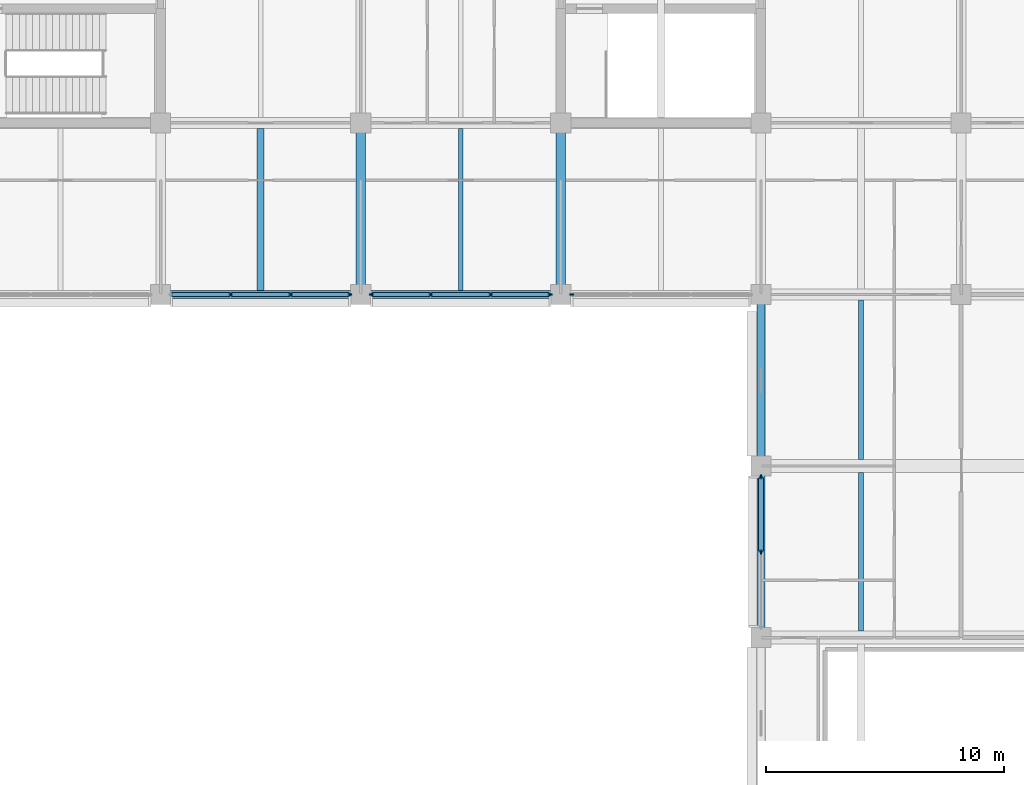
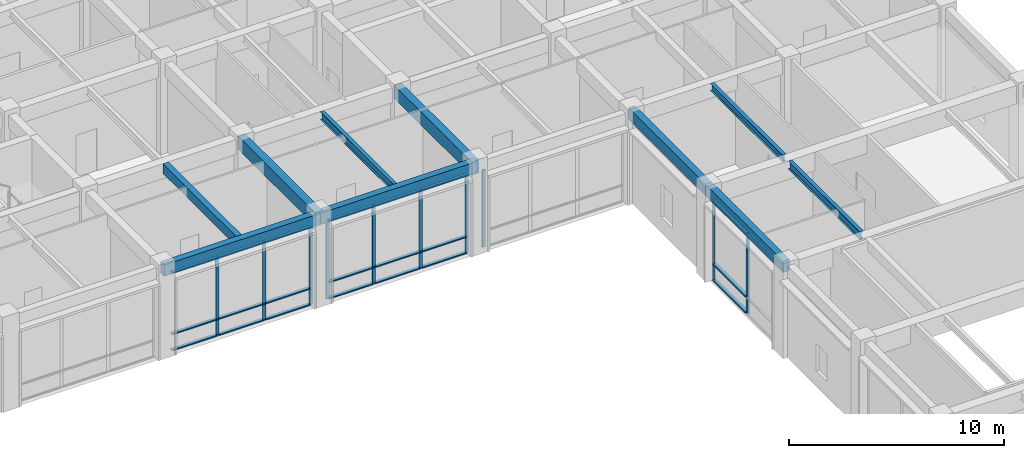
# One storey, part 20 of 58: 31 members, 10 beams, 4 elements without a shape of their own.
"""IFC4 building model written with IfcOpenShell, lengths in metres."""

import ifcopenshell
import ifcopenshell.guid

model = None  # the IFC model being written
_history = None  # IfcOwnerHistory: only IFC2X3 demands one
_inside = {}  # id of a spatial element -> (the spatial element, [elements in it])
_under = {}  # id of a project, library or spatial element -> (it, [spatial elements below it])
_declared = {}  # id of a project -> (the project, [libraries it declares])
_typed = {}  # id of a type object -> (the type object, [elements of that type])
_made_of = {}  # id of a material, layer set ... -> (it, [elements and type objects made of it])


def new_model(schema):
    """Start an empty IFC model of exactly this schema.

    Asked for "IFC4X3", IfcOpenShell would pick the latest addendum, in which some entities
    have other attributes; the version numbers below select the first issue.
    IFC2X3 requires an IfcOwnerHistory on every rooted entity: one is made here for all.
    """
    global model, _history
    if schema == "IFC4X3":
        model = ifcopenshell.file(schema_version=(4, 3, 0, 0))
    else:
        model = ifcopenshell.file(schema=schema)
    _inside.clear()
    _under.clear()
    _declared.clear()
    _typed.clear()
    _made_of.clear()
    _history = None
    if model.schema == "IFC2X3":
        org = make("IfcOrganization", Name="unknown")
        user = make(
            "IfcPersonAndOrganization",
            ThePerson=make("IfcPerson", FamilyName="unknown"),
            TheOrganization=org,
        )
        app = make(
            "IfcApplication",
            ApplicationDeveloper=org,
            Version="unknown",
            ApplicationFullName="unknown",
            ApplicationIdentifier="unknown",
        )
        _history = make(
            "IfcOwnerHistory",
            OwningUser=user,
            OwningApplication=app,
            ChangeAction="ADDED",
            CreationDate=0,
        )
    return model


def make(cls, **values):
    """One entity of the class cls with the attributes given. An attribute that is None is left unset."""
    return model.create_entity(
        cls, **{name: value for name, value in values.items() if value is not None}
    )


def rooted(cls, **values):
    """An entity with a GlobalId (a new one), such as an element, a storey or a relation."""
    return make(cls, GlobalId=ifcopenshell.guid.new(), OwnerHistory=_history, **values)


def si_unit(unit_type, name, prefix=None):
    """IfcSIUnit, for example si_unit("LENGTHUNIT", "METRE", prefix="MILLI")."""
    return make("IfcSIUnit", UnitType=unit_type, Prefix=prefix, Name=name)


def assignment(units):
    """IfcUnitAssignment: the units of a project."""
    return None if units is None else make("IfcUnitAssignment", Units=units)


def point(xyz):
    """IfcCartesianPoint."""
    return None if xyz is None else make("IfcCartesianPoint", Coordinates=xyz)


def direction(xyz):
    """IfcDirection."""
    return None if xyz is None else make("IfcDirection", DirectionRatios=xyz)


def frame(location, z_axis=None, x_axis=None):
    """IfcAxis2Placement3D, a coordinate frame: its origin and axes. An axis left out is left unset."""
    return make(
        "IfcAxis2Placement3D",
        Location=point(location),
        Axis=direction(z_axis),
        RefDirection=direction(x_axis),
    )


def frame_2d(location, x_axis=None):
    """IfcAxis2Placement2D, a coordinate frame in the plane: its origin and x axis."""
    return make(
        "IfcAxis2Placement2D", Location=point(location), RefDirection=direction(x_axis)
    )


def origin():
    """The frame at (0, 0, 0) with its axes left unset."""
    return frame((0.0, 0.0, 0.0))


def origin_2d():
    """The frame at (0, 0) in the plane with its x axis left unset."""
    return frame_2d((0.0, 0.0))


def place(relative_to, where):
    """IfcLocalPlacement: puts the frame where relative to a parent placement (None: the world)."""
    return make(
        "IfcLocalPlacement", PlacementRelTo=relative_to, RelativePlacement=where
    )


def context(
    kind, dimensions, precision=None, world=None, true_north=None, identifier=None
):
    """IfcGeometricRepresentationContext, for example the 3D "Model" context."""
    return make(
        "IfcGeometricRepresentationContext",
        ContextIdentifier=identifier,
        ContextType=kind,
        CoordinateSpaceDimension=dimensions,
        Precision=precision,
        WorldCoordinateSystem=world,
        TrueNorth=true_north,
    )


def subcontext(parent, identifier, kind, view, scale=None):
    """IfcGeometricRepresentationSubContext, for example "Body" below "Model"."""
    return make(
        "IfcGeometricRepresentationSubContext",
        ContextIdentifier=identifier,
        ContextType=kind,
        ParentContext=parent,
        TargetScale=scale,
        TargetView=view,
    )


def project(units=None, contexts=None):
    """IfcProject with its units and contexts."""
    return rooted(
        "IfcProject",
        Name="project",
        RepresentationContexts=contexts,
        UnitsInContext=assignment(units),
    )


def spatial(cls, under=None, at=None, **own):
    """A site, building, storey or space (cls), placed at a placement, below another one or the project."""
    s = rooted(cls, ObjectPlacement=at, **own)
    if under is not None:
        _under.setdefault(under.id(), (under, []))[1].append(s)
    return s


def profile(cls, at=None, kind="AREA", **sizes):
    """A parametric profile (cls). Its sizes go by their IFC names, for example OverallWidth=200.0."""
    return make(cls, ProfileType=kind, Position=at, **sizes)


def rectangle(**sizes):
    """IfcRectangleProfileDef."""
    return profile("IfcRectangleProfileDef", **sizes)


def i_section(**sizes):
    """IfcIShapeProfileDef."""
    return profile("IfcIShapeProfileDef", **sizes)


def extrude(swept, where, along, depth):
    """IfcExtrudedAreaSolid: the profile swept, set in the frame where, extruded along a direction by depth."""
    return make(
        "IfcExtrudedAreaSolid",
        SweptArea=swept,
        Position=where,
        ExtrudedDirection=direction(along),
        Depth=depth,
    )


def shape(context_of_items, identifier, shape_type, items):
    """IfcShapeRepresentation: the items that make up one representation, for example the "Body"."""
    return make(
        "IfcShapeRepresentation",
        ContextOfItems=context_of_items,
        RepresentationIdentifier=identifier,
        RepresentationType=shape_type,
        Items=items,
    )


def material(Name=None, Category=None):
    """IfcMaterial."""
    return make("IfcMaterial", Name=Name, Category=Category)


def layer(
    of_material, thickness, ventilated=None, Name=None, Category=None, Priority=None
):
    """IfcMaterialLayer: one layer of a wall or slab, of a material (None: an air gap)."""
    return make(
        "IfcMaterialLayer",
        Material=of_material,
        LayerThickness=thickness,
        IsVentilated=ventilated,
        Name=Name,
        Category=Category,
        Priority=Priority,
    )


def layer_set(layers, Name=None):
    """IfcMaterialLayerSet."""
    return make("IfcMaterialLayerSet", MaterialLayers=layers, LayerSetName=Name)


def material_profile(
    of_material, cross_section, Name=None, Category=None, Priority=None
):
    """IfcMaterialProfile: a cross section and its material."""
    return make(
        "IfcMaterialProfile",
        Name=Name,
        Material=of_material,
        Profile=cross_section,
        Priority=Priority,
        Category=Category,
    )


def profile_set(profiles, Name=None, composite=None):
    """IfcMaterialProfileSet."""
    return make(
        "IfcMaterialProfileSet",
        Name=Name,
        MaterialProfiles=profiles,
        CompositeProfile=composite,
    )


def made_of(thing, what):
    """Note that an element or type object is made of a material, layer set ...; save() writes the relation."""
    if what is not None:
        _made_of.setdefault(what.id(), (what, []))[1].append(thing)
    return thing


def type_object(cls, material=None, **own):
    """A type object (cls), such as IfcWallType, which elements share."""
    return made_of(rooted(cls, **own), material)


def element(
    cls,
    number,
    at=None,
    inside=None,
    cuts=None,
    type_object=None,
    material=None,
    context=None,
    identifier="Body",
    shape_type=None,
    held_by="IfcProductDefinitionShape",
    body=None,
    shapes=None,
    **own,
):
    """One element of the class cls, such as IfcWall. Its Tag is "e" and its number.

    at: its placement. inside: the storey or other place that contains it. cuts: it is an
    opening in that element (IfcRelVoidsElement). A single representation is given by context,
    identifier, shape_type and body (its items); several are given by shapes. held_by: the class
    of the entity that holds the representations. save() writes the other relations.
    """
    e = rooted(cls, Tag="e%d" % number, ObjectPlacement=at, **own)
    if body is not None:
        shapes = [shape(context, identifier, shape_type, body)]
    if shapes is not None:
        e.Representation = make(held_by, Representations=shapes)
    if inside is not None:
        _inside.setdefault(inside.id(), (inside, []))[1].append(e)
    if cuts is not None:
        rooted(
            "IfcRelVoidsElement", RelatingBuildingElement=cuts, RelatedOpeningElement=e
        )
    if type_object is not None:
        _typed.setdefault(type_object.id(), (type_object, []))[1].append(e)
    return made_of(e, material)


def aggregate(whole, parts):
    """IfcRelAggregates: a whole, such as a stair, and the parts it consists of."""
    return rooted("IfcRelAggregates", RelatingObject=whole, RelatedObjects=parts)


def save(model, path):
    """Write the relations noted so far, then the file.

    IfcRelAggregates (storeys below a building ...), IfcRelContainedInSpatialStructure (elements
    in a storey), IfcRelDefinesByType, IfcRelAssociatesMaterial and IfcRelDeclares: one each for
    every whole, place, type object, material and project.
    """
    for whole, parts in _under.values():
        aggregate(whole, parts)
    for where, things in _inside.values():
        rooted(
            "IfcRelContainedInSpatialStructure",
            RelatedElements=things,
            RelatingStructure=where,
        )
    for kind, things in _typed.values():
        rooted("IfcRelDefinesByType", RelatedObjects=things, RelatingType=kind)
    for what, things in _made_of.values():
        rooted("IfcRelAssociatesMaterial", RelatedObjects=things, RelatingMaterial=what)
    for by, libraries in _declared.values():
        rooted("IfcRelDeclares", RelatingContext=by, RelatedDefinitions=libraries)
    model.write(path)


model = new_model("IFC4")

# Units and contexts
model_context = context("Model", 3, precision=1e-05, world=origin(), true_north=direction((0.0, 1.0)))
body_context = subcontext(model_context, "Body", "Model", "MODEL_VIEW")
ifc_project = project(units=[si_unit("LENGTHUNIT", "METRE"), si_unit("AREAUNIT", "SQUARE_METRE"), si_unit("VOLUMEUNIT", "CUBIC_METRE"), si_unit("PLANEANGLEUNIT", "RADIAN"), si_unit("MASSUNIT", "GRAM", prefix="KILO")], contexts=[model_context])

# Site, building, storey
site_placement = place(None, origin())
site = spatial("IfcSite", under=ifc_project, at=site_placement, CompositionType="ELEMENT")
building_placement = place(site_placement, origin())
building = spatial("IfcBuilding", under=site, at=building_placement, Name="Chengyuan Square Courthouse", CompositionType="ELEMENT")
storey_placement = place(building_placement, frame((0.0, 0.0, 16.199951171875)))
storey = spatial("IfcBuildingStorey", under=building, at=storey_placement, Name="L04", CompositionType="ELEMENT", Elevation=16.199951171875)

# Beams
ifc_material_1 = material(Name="Concrete C40", Category="concrete")
ifc_material_profile_1 = material_profile(ifc_material_1, rectangle(XDim=0.39990234375, YDim=0.75, at=origin_2d()), Name="RC-BM-400x750")
ifc_profile_set_1 = profile_set([ifc_material_profile_1], Name="Concrete C40")
beam_type_1 = type_object("IfcBeamType", Name="BM-02", PredefinedType="USERDEFINED", material=ifc_profile_set_1)
for number, where, z_axis, x_axis, name in (
    (1, (134.39990234375, 79.199951171875, 4.7451171875), (0.0, 1.0, 0.0), (-1.0, 0.0, 0.0), "Girder BM-L04-3061"),
    (2, (142.800048828125, 79.199951171875, 4.675048828125), (0.0, 1.0, 0.0), (-1.0, 0.0, 0.0), "Girder BM-L04-3065"),
):
    element("IfcBeam", number, at=place(storey_placement, frame(where, z_axis=z_axis, x_axis=x_axis)), inside=storey, type_object=beam_type_1, Name=name, ObjectType="GIRDER", PredefinedType="USERDEFINED", context=body_context, shape_type="SweptSolid", body=[
        extrude(rectangle(XDim=0.39990234375, YDim=0.75, at=origin_2d()), origin(), (0.0, 0.0, 1.0), 7.199951171875),
    ])
ifc_material_profile_2 = material_profile(ifc_material_1, rectangle(XDim=0.35009765625, YDim=0.64990234375, at=origin_2d()), Name="RC-BM-350x650")
ifc_profile_set_2 = profile_set([ifc_material_profile_2], Name="Concrete C40")
beam_type_2 = type_object("IfcBeamType", Name="BM-03", PredefinedType="SPANDREL", material=ifc_profile_set_2)
beam_1_placement = place(storey_placement, frame((126.0, 79.199951171875, 4.795166015625), z_axis=(1.0, 0.0, 0.0), x_axis=(0.0, 1.0, 0.0)))
element("IfcBeam", 3, at=beam_1_placement, inside=storey, type_object=beam_type_2, Name="Girder BM-L04-2876", PredefinedType="SPANDREL", context=body_context, shape_type="SweptSolid", body=[
    extrude(rectangle(XDim=0.35009765625, YDim=0.64990234375, at=origin_2d()), origin(), (0.0, 0.0, 1.0), 8.39990234375),
])
beam_2_placement = place(storey_placement, frame((134.39990234375, 79.199951171875, 4.795166015625), z_axis=(1.0, 0.0, 0.0), x_axis=(0.0, 1.0, 0.0)))
element("IfcBeam", 4, at=beam_2_placement, inside=storey, type_object=beam_type_2, Name="Girder BM-L04-2877", PredefinedType="SPANDREL", context=body_context, shape_type="SweptSolid", body=[
    extrude(rectangle(XDim=0.35009765625, YDim=0.64990234375, at=origin_2d()), origin(), (0.0, 0.0, 1.0), 8.400146484375),
])
for number, where, z_axis, x_axis, name in (
    (5, (151.199951171875, 64.800048828125, 4.875), (0.0, 1.0, 0.0), (-1.0, 0.0, 0.0), "Girder BM-L04-3073"),
    (6, (151.199951171875, 72.0, 4.875), (0.0, 1.0, 0.0), (-1.0, 0.0, 0.0), "Girder BM-L04-3074"),
):
    element("IfcBeam", number, at=place(storey_placement, frame(where, z_axis=z_axis, x_axis=x_axis)), inside=storey, type_object=beam_type_2, Name=name, PredefinedType="SPANDREL", context=body_context, shape_type="SweptSolid", body=[
        extrude(rectangle(XDim=0.35009765625, YDim=0.64990234375, at=origin_2d()), origin(), (0.0, 0.0, 1.0), 7.199951171875),
    ])
ifc_material_profile_3 = material_profile(ifc_material_1, rectangle(XDim=0.300048828125, YDim=0.550048828125, at=origin_2d()), Name="RC-BM-300x550")
ifc_profile_set_3 = profile_set([ifc_material_profile_3], Name="Concrete C40")
beam_type_3 = type_object("IfcBeamType", Name="BM-04", PredefinedType="BEAM", material=ifc_profile_set_3)
beam_3_placement = place(storey_placement, frame((130.199951171875, 79.375, 4.844970703125), z_axis=(0.0, 1.0, 0.0), x_axis=(-1.0, 0.0, 0.0)))
element("IfcBeam", 7, at=beam_3_placement, inside=storey, type_object=beam_type_3, Name="Secondary Floor Beam SBM-L04-3163", PredefinedType="BEAM", context=body_context, shape_type="SweptSolid", body=[
    extrude(rectangle(XDim=0.300048828125, YDim=0.550048828125, at=origin_2d()), origin(), (0.0, 0.0, 1.0), 6.800048828125),
])
ifc_material_2 = material(Name="Steel Q355B", Category="steel")
ifc_material_profile_4 = material_profile(ifc_material_2, i_section(OverallWidth=0.199951171875, OverallDepth=0.449951171875, WebThickness=0.009033203125, FlangeThickness=0.013916015625, at=origin_2d()), Name="HN 450x200x9x14")
ifc_profile_set_4 = profile_set([ifc_material_profile_4], Name="Steel Q355B")
beam_type_4 = type_object("IfcBeamType", Name="BM-06", PredefinedType="BEAM", material=ifc_profile_set_4)
beam_4_placement = place(storey_placement, frame((138.60009765625, 79.375, 4.89501953125), z_axis=(0.0, 1.0, 0.0), x_axis=(-1.0, 0.0, 0.0)))
element("IfcBeam", 8, at=beam_4_placement, inside=storey, type_object=beam_type_4, Name="Secondary Floor Beam SBM-L04-3167", PredefinedType="BEAM", context=body_context, shape_type="SweptSolid", body=[
    extrude(i_section(OverallWidth=0.199951171875, OverallDepth=0.449951171875, WebThickness=0.009033203125, FlangeThickness=0.013916015625, at=origin_2d()), origin(), (0.0, 0.0, 1.0), 6.800048828125),
])
beam_5_placement = place(storey_placement, frame((155.39990234375, 65.074951171875, 4.97509765625), z_axis=(0.0, 1.0, 0.0), x_axis=(-1.0, 0.0, 0.0)))
element("IfcBeam", 9, at=beam_5_placement, inside=storey, type_object=beam_type_4, Name="Secondary Floor Beam SBM-L04-3179", PredefinedType="BEAM", context=body_context, shape_type="SweptSolid", body=[
    extrude(i_section(OverallWidth=0.199951171875, OverallDepth=0.449951171875, WebThickness=0.009033203125, FlangeThickness=0.013916015625, at=origin_2d()), origin(), (0.0, 0.0, 1.0), 6.650146484375),
])
ifc_material_profile_5 = material_profile(ifc_material_2, i_section(OverallWidth=0.199951171875, OverallDepth=0.39990234375, WebThickness=0.008056640625, FlangeThickness=0.012939453125, at=origin_2d()), Name="HN 400x200x8x13")
ifc_profile_set_5 = profile_set([ifc_material_profile_5], Name="Steel Q355B")
beam_type_5 = type_object("IfcBeamType", Name="BM-07", PredefinedType="BEAM", material=ifc_profile_set_5)
beam_6_placement = place(storey_placement, frame((155.39990234375, 72.27490234375, 5.0), z_axis=(0.0, 1.0, 0.0), x_axis=(-1.0, 0.0, 0.0)))
element("IfcBeam", 10, at=beam_6_placement, inside=storey, type_object=beam_type_5, Name="Secondary Floor Beam SBM-L04-3180", PredefinedType="BEAM", context=body_context, shape_type="SweptSolid", body=[
    extrude(i_section(OverallWidth=0.199951171875, OverallDepth=0.39990234375, WebThickness=0.008056640625, FlangeThickness=0.012939453125, at=origin_2d()), origin(), (0.0, 0.0, 1.0), 6.7001953125),
])

# Curtain wall, members
ifc_material_3 = material(Name="Unitised Aluminium and Triple Low-E Glass", Category="aluminium")
ifc_layer_1 = layer(ifc_material_3, 0.179931640625)
ifc_layer_set_1 = layer_set([ifc_layer_1], Name="Unitised Aluminium and Triple Low-E Glass")
curtain_wall_type_1 = type_object("IfcCurtainWallType", Name="CW-10", PredefinedType="USERDEFINED", material=ifc_layer_set_1)
curtain_wall_1_placement = place(storey_placement, origin())
curtain_wall_1 = element("IfcCurtainWall", 11, at=curtain_wall_1_placement, inside=storey, type_object=curtain_wall_type_1, Name="Unitised Curtain Wall CW-L04-151", ObjectType="UNITISED CURTAIN WALL", PredefinedType="USERDEFINED")
ifc_material_4 = material(Name="Aluminium 6063-T6 Frame", Category="aluminium")
ifc_material_profile_6 = material_profile(ifc_material_4, rectangle(XDim=0.06494140625, YDim=0.179931640625, at=origin_2d()), Name="CW-MUL-65x180")
ifc_profile_set_6 = profile_set([ifc_material_profile_6], Name="Aluminium 6063-T6 Frame")
member_type_1 = type_object("IfcMemberType", Name="CWM-02", PredefinedType="MULLION", material=ifc_profile_set_6)
member_1_placement = place(storey_placement, frame((128.941650390625, 79.199951171875, 0.0), z_axis=(0.0, 0.0, 1.0), x_axis=(0.0, 1.0, 0.0)))
member_1 = element("IfcMember", 12, at=member_1_placement, type_object=member_type_1, Name="CW-10 mullion 2", PredefinedType="MULLION", context=body_context, shape_type="SweptSolid", body=[
    extrude(rectangle(XDim=0.06494140625, YDim=0.179931640625, at=origin_2d()), origin(), (0.0, 0.0, 1.0), 4.469970703125),
])
member_2_placement = place(storey_placement, frame((131.458251953125, 79.199951171875, 0.0), z_axis=(0.0, 0.0, 1.0), x_axis=(0.0, 1.0, 0.0)))
member_2 = element("IfcMember", 13, at=member_2_placement, type_object=member_type_1, Name="CW-10 mullion 3", PredefinedType="MULLION", context=body_context, shape_type="SweptSolid", body=[
    extrude(rectangle(XDim=0.06494140625, YDim=0.179931640625, at=origin_2d()), origin(), (0.0, 0.0, 1.0), 4.469970703125),
])
member_3_placement = place(storey_placement, frame((133.9423828125, 79.199951171875, 0.0), z_axis=(0.0, 0.0, 1.0), x_axis=(0.0, 1.0, 0.0)))
member_3 = element("IfcMember", 14, at=member_3_placement, type_object=member_type_1, Name="CW-10 mullion 4", PredefinedType="MULLION", context=body_context, shape_type="SweptSolid", body=[
    extrude(rectangle(XDim=0.06494140625, YDim=0.179931640625, at=origin_2d()), origin(), (0.0, 0.0, 1.0), 4.469970703125),
])

curtain_wall_2_placement = place(storey_placement, origin())
curtain_wall_2 = element("IfcCurtainWall", 15, at=curtain_wall_2_placement, inside=storey, type_object=curtain_wall_type_1, Name="Unitised Curtain Wall CW-L04-153", ObjectType="UNITISED CURTAIN WALL", PredefinedType="USERDEFINED")
member_4_placement = place(storey_placement, frame((134.857421875, 79.199951171875, 0.0), z_axis=(0.0, 0.0, 1.0), x_axis=(0.0, 1.0, 0.0)))
member_4 = element("IfcMember", 16, at=member_4_placement, type_object=member_type_1, Name="CW-10 mullion 1", PredefinedType="MULLION", context=body_context, shape_type="SweptSolid", body=[
    extrude(rectangle(XDim=0.06494140625, YDim=0.179931640625, at=origin_2d()), origin(), (0.0, 0.0, 1.0), 4.469970703125),
])
member_5_placement = place(storey_placement, frame((137.341552734375, 79.199951171875, 0.0), z_axis=(0.0, 0.0, 1.0), x_axis=(0.0, 1.0, 0.0)))
member_5 = element("IfcMember", 17, at=member_5_placement, type_object=member_type_1, Name="CW-10 mullion 2", PredefinedType="MULLION", context=body_context, shape_type="SweptSolid", body=[
    extrude(rectangle(XDim=0.06494140625, YDim=0.179931640625, at=origin_2d()), origin(), (0.0, 0.0, 1.0), 4.469970703125),
])
member_6_placement = place(storey_placement, frame((139.8583984375, 79.199951171875, 0.0), z_axis=(0.0, 0.0, 1.0), x_axis=(0.0, 1.0, 0.0)))
member_6 = element("IfcMember", 18, at=member_6_placement, type_object=member_type_1, Name="CW-10 mullion 3", PredefinedType="MULLION", context=body_context, shape_type="SweptSolid", body=[
    extrude(rectangle(XDim=0.06494140625, YDim=0.179931640625, at=origin_2d()), origin(), (0.0, 0.0, 1.0), 4.469970703125),
])
member_7_placement = place(storey_placement, frame((142.342529296875, 79.199951171875, 0.0), z_axis=(0.0, 0.0, 1.0), x_axis=(0.0, 1.0, 0.0)))
member_7 = element("IfcMember", 19, at=member_7_placement, type_object=member_type_1, Name="CW-10 mullion 4", PredefinedType="MULLION", context=body_context, shape_type="SweptSolid", body=[
    extrude(rectangle(XDim=0.06494140625, YDim=0.179931640625, at=origin_2d()), origin(), (0.0, 0.0, 1.0), 4.469970703125),
])

# Curtain wall, member
curtain_wall_3_placement = place(storey_placement, origin())
curtain_wall_3 = element("IfcCurtainWall", 20, at=curtain_wall_3_placement, inside=storey, type_object=curtain_wall_type_1, Name="Unitised Curtain Wall CW-L04-154", ObjectType="UNITISED CURTAIN WALL", PredefinedType="USERDEFINED")
member_8_placement = place(storey_placement, frame((143.257568359375, 79.199951171875, 0.0), z_axis=(0.0, 0.0, 1.0), x_axis=(0.0, 1.0, 0.0)))
member_8 = element("IfcMember", 21, at=member_8_placement, type_object=member_type_1, Name="CW-10 mullion 1", PredefinedType="MULLION", context=body_context, shape_type="SweptSolid", body=[
    extrude(rectangle(XDim=0.06494140625, YDim=0.179931640625, at=origin_2d()), origin(), (0.0, 0.0, 1.0), 4.400146484375),
])
aggregate(curtain_wall_3, [member_8])

# Curtain wall, members
ifc_layer_2 = layer(ifc_material_3, 0.199951171875)
ifc_layer_set_2 = layer_set([ifc_layer_2], Name="Unitised Aluminium and Triple Low-E Glass")
curtain_wall_type_2 = type_object("IfcCurtainWallType", Name="CW-23", PredefinedType="USERDEFINED", material=ifc_layer_set_2)
curtain_wall_4_placement = place(storey_placement, origin())
curtain_wall_4 = element("IfcCurtainWall", 22, at=curtain_wall_4_placement, inside=storey, type_object=curtain_wall_type_2, Name="Unitised Curtain Wall CW-L04-157", ObjectType="UNITISED CURTAIN WALL", PredefinedType="USERDEFINED")
ifc_material_profile_7 = material_profile(ifc_material_4, rectangle(XDim=0.070068359375, YDim=0.199951171875, at=origin_2d()), Name="CW-MUL-70x200")
ifc_profile_set_7 = profile_set([ifc_material_profile_7], Name="Aluminium 6063-T6 Frame")
member_type_2 = type_object("IfcMemberType", Name="CWM-03", PredefinedType="MULLION", material=ifc_profile_set_7)
member_9_placement = place(storey_placement, frame((151.199951171875, 68.39990234375, 0.0), z_axis=(0.0, 0.0, 1.0), x_axis=(-1.0, 0.0, 0.0)))
member_9 = element("IfcMember", 23, at=member_9_placement, type_object=member_type_2, Name="CW-23 mullion 2", PredefinedType="MULLION", context=body_context, shape_type="SweptSolid", body=[
    extrude(rectangle(XDim=0.070068359375, YDim=0.199951171875, at=origin_2d()), origin(), (0.0, 0.0, 1.0), 4.550048828125),
])
member_10_placement = place(storey_placement, frame((151.199951171875, 71.5400390625, 0.0), z_axis=(0.0, 0.0, 1.0), x_axis=(-1.0, 0.0, 0.0)))
member_10 = element("IfcMember", 24, at=member_10_placement, type_object=member_type_2, Name="CW-23 mullion 3", PredefinedType="MULLION", context=body_context, shape_type="SweptSolid", body=[
    extrude(rectangle(XDim=0.070068359375, YDim=0.199951171875, at=origin_2d()), origin(), (0.0, 0.0, 1.0), 4.550048828125),
])

# Member
ifc_material_profile_8 = material_profile(ifc_material_4, rectangle(XDim=0.179931640625, YDim=0.06494140625, at=origin_2d()), Name="CW-TRN-65x140")
ifc_profile_set_8 = profile_set([ifc_material_profile_8], Name="Aluminium 6063-T6 Frame")
member_type_3 = type_object("IfcMemberType", Name="CWT-02", PredefinedType="USERDEFINED", material=ifc_profile_set_8)
member_11_placement = place(storey_placement, frame((126.489990234375, 79.199951171875, 0.032470703125), z_axis=(1.0, 0.0, 0.0), x_axis=(0.0, 1.0, 0.0)))
member_11 = element("IfcMember", 25, at=member_11_placement, type_object=member_type_3, Name="CW-10 transom 1.1", ObjectType="TRANSOM", PredefinedType="USERDEFINED", context=body_context, shape_type="SweptSolid", body=[
    extrude(rectangle(XDim=0.179931640625, YDim=0.06494140625, at=origin_2d()), origin(), (0.0, 0.0, 1.0), 2.419189453125),
])

member_12_placement = place(storey_placement, frame((126.489990234375, 79.199951171875, 0.949951171875), z_axis=(1.0, 0.0, 0.0), x_axis=(0.0, 1.0, 0.0)))
member_12 = element("IfcMember", 26, at=member_12_placement, type_object=member_type_3, Name="CW-10 transom 1.2", ObjectType="TRANSOM", PredefinedType="USERDEFINED", context=body_context, shape_type="SweptSolid", body=[
    extrude(rectangle(XDim=0.179931640625, YDim=0.06494140625, at=origin_2d()), origin(), (0.0, 0.0, 1.0), 2.419189453125),
])

member_13_placement = place(storey_placement, frame((126.489990234375, 79.199951171875, 4.4375), z_axis=(1.0, 0.0, 0.0), x_axis=(0.0, 1.0, 0.0)))
member_13 = element("IfcMember", 27, at=member_13_placement, type_object=member_type_3, Name="CW-10 transom 1.3", ObjectType="TRANSOM", PredefinedType="USERDEFINED", context=body_context, shape_type="SweptSolid", body=[
    extrude(rectangle(XDim=0.179931640625, YDim=0.06494140625, at=origin_2d()), origin(), (0.0, 0.0, 1.0), 2.419189453125),
])

member_14_placement = place(storey_placement, frame((128.97412109375, 79.199951171875, 0.032470703125), z_axis=(1.0, 0.0, 0.0), x_axis=(0.0, 1.0, 0.0)))
member_14 = element("IfcMember", 28, at=member_14_placement, type_object=member_type_3, Name="CW-10 transom 2.1", ObjectType="TRANSOM", PredefinedType="USERDEFINED", context=body_context, shape_type="SweptSolid", body=[
    extrude(rectangle(XDim=0.179931640625, YDim=0.06494140625, at=origin_2d()), origin(), (0.0, 0.0, 1.0), 2.45166015625),
])

member_15_placement = place(storey_placement, frame((128.97412109375, 79.199951171875, 0.949951171875), z_axis=(1.0, 0.0, 0.0), x_axis=(0.0, 1.0, 0.0)))
member_15 = element("IfcMember", 29, at=member_15_placement, type_object=member_type_3, Name="CW-10 transom 2.2", ObjectType="TRANSOM", PredefinedType="USERDEFINED", context=body_context, shape_type="SweptSolid", body=[
    extrude(rectangle(XDim=0.179931640625, YDim=0.06494140625, at=origin_2d()), origin(), (0.0, 0.0, 1.0), 2.45166015625),
])

member_16_placement = place(storey_placement, frame((128.97412109375, 79.199951171875, 4.4375), z_axis=(1.0, 0.0, 0.0), x_axis=(0.0, 1.0, 0.0)))
member_16 = element("IfcMember", 30, at=member_16_placement, type_object=member_type_3, Name="CW-10 transom 2.3", ObjectType="TRANSOM", PredefinedType="USERDEFINED", context=body_context, shape_type="SweptSolid", body=[
    extrude(rectangle(XDim=0.179931640625, YDim=0.06494140625, at=origin_2d()), origin(), (0.0, 0.0, 1.0), 2.45166015625),
])

member_17_placement = place(storey_placement, frame((131.49072265625, 79.199951171875, 0.032470703125), z_axis=(1.0, 0.0, 0.0), x_axis=(0.0, 1.0, 0.0)))
member_17 = element("IfcMember", 31, at=member_17_placement, type_object=member_type_3, Name="CW-10 transom 3.1", ObjectType="TRANSOM", PredefinedType="USERDEFINED", context=body_context, shape_type="SweptSolid", body=[
    extrude(rectangle(XDim=0.179931640625, YDim=0.06494140625, at=origin_2d()), origin(), (0.0, 0.0, 1.0), 2.419189453125),
])

member_18_placement = place(storey_placement, frame((131.49072265625, 79.199951171875, 0.949951171875), z_axis=(1.0, 0.0, 0.0), x_axis=(0.0, 1.0, 0.0)))
member_18 = element("IfcMember", 32, at=member_18_placement, type_object=member_type_3, Name="CW-10 transom 3.2", ObjectType="TRANSOM", PredefinedType="USERDEFINED", context=body_context, shape_type="SweptSolid", body=[
    extrude(rectangle(XDim=0.179931640625, YDim=0.06494140625, at=origin_2d()), origin(), (0.0, 0.0, 1.0), 2.419189453125),
])

member_19_placement = place(storey_placement, frame((131.49072265625, 79.199951171875, 4.4375), z_axis=(1.0, 0.0, 0.0), x_axis=(0.0, 1.0, 0.0)))
member_19 = element("IfcMember", 33, at=member_19_placement, type_object=member_type_3, Name="CW-10 transom 3.3", ObjectType="TRANSOM", PredefinedType="USERDEFINED", context=body_context, shape_type="SweptSolid", body=[
    extrude(rectangle(XDim=0.179931640625, YDim=0.06494140625, at=origin_2d()), origin(), (0.0, 0.0, 1.0), 2.419189453125),
])

aggregate(curtain_wall_1, [member_1, member_2, member_3, member_11, member_12, member_13, member_14, member_15, member_16, member_17, member_18, member_19])

member_20_placement = place(storey_placement, frame((134.889892578125, 79.199951171875, 0.032470703125), z_axis=(1.0, 0.0, 0.0), x_axis=(0.0, 1.0, 0.0)))
member_20 = element("IfcMember", 34, at=member_20_placement, type_object=member_type_3, Name="CW-10 transom 1.1", ObjectType="TRANSOM", PredefinedType="USERDEFINED", context=body_context, shape_type="SweptSolid", body=[
    extrude(rectangle(XDim=0.179931640625, YDim=0.06494140625, at=origin_2d()), origin(), (0.0, 0.0, 1.0), 2.419189453125),
])

member_21_placement = place(storey_placement, frame((134.889892578125, 79.199951171875, 0.949951171875), z_axis=(1.0, 0.0, 0.0), x_axis=(0.0, 1.0, 0.0)))
member_21 = element("IfcMember", 35, at=member_21_placement, type_object=member_type_3, Name="CW-10 transom 1.2", ObjectType="TRANSOM", PredefinedType="USERDEFINED", context=body_context, shape_type="SweptSolid", body=[
    extrude(rectangle(XDim=0.179931640625, YDim=0.06494140625, at=origin_2d()), origin(), (0.0, 0.0, 1.0), 2.419189453125),
])

member_22_placement = place(storey_placement, frame((134.889892578125, 79.199951171875, 4.4375), z_axis=(1.0, 0.0, 0.0), x_axis=(0.0, 1.0, 0.0)))
member_22 = element("IfcMember", 36, at=member_22_placement, type_object=member_type_3, Name="CW-10 transom 1.3", ObjectType="TRANSOM", PredefinedType="USERDEFINED", context=body_context, shape_type="SweptSolid", body=[
    extrude(rectangle(XDim=0.179931640625, YDim=0.06494140625, at=origin_2d()), origin(), (0.0, 0.0, 1.0), 2.419189453125),
])

member_23_placement = place(storey_placement, frame((137.374267578125, 79.199951171875, 0.032470703125), z_axis=(1.0, 0.0, 0.0), x_axis=(0.0, 1.0, 0.0)))
member_23 = element("IfcMember", 37, at=member_23_placement, type_object=member_type_3, Name="CW-10 transom 2.1", ObjectType="TRANSOM", PredefinedType="USERDEFINED", context=body_context, shape_type="SweptSolid", body=[
    extrude(rectangle(XDim=0.179931640625, YDim=0.06494140625, at=origin_2d()), origin(), (0.0, 0.0, 1.0), 2.45166015625),
])

member_24_placement = place(storey_placement, frame((137.374267578125, 79.199951171875, 0.949951171875), z_axis=(1.0, 0.0, 0.0), x_axis=(0.0, 1.0, 0.0)))
member_24 = element("IfcMember", 38, at=member_24_placement, type_object=member_type_3, Name="CW-10 transom 2.2", ObjectType="TRANSOM", PredefinedType="USERDEFINED", context=body_context, shape_type="SweptSolid", body=[
    extrude(rectangle(XDim=0.179931640625, YDim=0.06494140625, at=origin_2d()), origin(), (0.0, 0.0, 1.0), 2.45166015625),
])

member_25_placement = place(storey_placement, frame((137.374267578125, 79.199951171875, 4.4375), z_axis=(1.0, 0.0, 0.0), x_axis=(0.0, 1.0, 0.0)))
member_25 = element("IfcMember", 39, at=member_25_placement, type_object=member_type_3, Name="CW-10 transom 2.3", ObjectType="TRANSOM", PredefinedType="USERDEFINED", context=body_context, shape_type="SweptSolid", body=[
    extrude(rectangle(XDim=0.179931640625, YDim=0.06494140625, at=origin_2d()), origin(), (0.0, 0.0, 1.0), 2.45166015625),
])

member_26_placement = place(storey_placement, frame((139.890869140625, 79.199951171875, 0.032470703125), z_axis=(1.0, 0.0, 0.0), x_axis=(0.0, 1.0, 0.0)))
member_26 = element("IfcMember", 40, at=member_26_placement, type_object=member_type_3, Name="CW-10 transom 3.1", ObjectType="TRANSOM", PredefinedType="USERDEFINED", context=body_context, shape_type="SweptSolid", body=[
    extrude(rectangle(XDim=0.179931640625, YDim=0.06494140625, at=origin_2d()), origin(), (0.0, 0.0, 1.0), 2.419189453125),
])

member_27_placement = place(storey_placement, frame((139.890869140625, 79.199951171875, 0.949951171875), z_axis=(1.0, 0.0, 0.0), x_axis=(0.0, 1.0, 0.0)))
member_27 = element("IfcMember", 41, at=member_27_placement, type_object=member_type_3, Name="CW-10 transom 3.2", ObjectType="TRANSOM", PredefinedType="USERDEFINED", context=body_context, shape_type="SweptSolid", body=[
    extrude(rectangle(XDim=0.179931640625, YDim=0.06494140625, at=origin_2d()), origin(), (0.0, 0.0, 1.0), 2.419189453125),
])

member_28_placement = place(storey_placement, frame((139.890869140625, 79.199951171875, 4.4375), z_axis=(1.0, 0.0, 0.0), x_axis=(0.0, 1.0, 0.0)))
member_28 = element("IfcMember", 42, at=member_28_placement, type_object=member_type_3, Name="CW-10 transom 3.3", ObjectType="TRANSOM", PredefinedType="USERDEFINED", context=body_context, shape_type="SweptSolid", body=[
    extrude(rectangle(XDim=0.179931640625, YDim=0.06494140625, at=origin_2d()), origin(), (0.0, 0.0, 1.0), 2.419189453125),
])

aggregate(curtain_wall_2, [member_4, member_5, member_6, member_7, member_20, member_21, member_22, member_23, member_24, member_25, member_26, member_27, member_28])

ifc_material_profile_9 = material_profile(ifc_material_4, rectangle(XDim=0.199951171875, YDim=0.070068359375, at=origin_2d()), Name="CW-TRN-70x160")
ifc_profile_set_9 = profile_set([ifc_material_profile_9], Name="Aluminium 6063-T6 Frame")
member_type_4 = type_object("IfcMemberType", Name="CWT-03", PredefinedType="USERDEFINED", material=ifc_profile_set_9)
member_29_placement = place(storey_placement, frame((151.199951171875, 68.43505859375, 0.03515625), z_axis=(0.0, 1.0, 0.0), x_axis=(-1.0, 0.0, 0.0)))
member_29 = element("IfcMember", 43, at=member_29_placement, type_object=member_type_4, Name="CW-23 transom 2.1", ObjectType="TRANSOM", PredefinedType="USERDEFINED", context=body_context, shape_type="SweptSolid", body=[
    extrude(rectangle(XDim=0.199951171875, YDim=0.070068359375, at=origin_2d()), origin(), (0.0, 0.0, 1.0), 3.06982421875),
])

member_30_placement = place(storey_placement, frame((151.199951171875, 68.43505859375, 0.949951171875), z_axis=(0.0, 1.0, 0.0), x_axis=(-1.0, 0.0, 0.0)))
member_30 = element("IfcMember", 44, at=member_30_placement, type_object=member_type_4, Name="CW-23 transom 2.2", ObjectType="TRANSOM", PredefinedType="USERDEFINED", context=body_context, shape_type="SweptSolid", body=[
    extrude(rectangle(XDim=0.199951171875, YDim=0.070068359375, at=origin_2d()), origin(), (0.0, 0.0, 1.0), 3.06982421875),
])

member_31_placement = place(storey_placement, frame((151.199951171875, 68.43505859375, 4.51513671875), z_axis=(0.0, 1.0, 0.0), x_axis=(-1.0, 0.0, 0.0)))
member_31 = element("IfcMember", 45, at=member_31_placement, type_object=member_type_4, Name="CW-23 transom 2.3", ObjectType="TRANSOM", PredefinedType="USERDEFINED", context=body_context, shape_type="SweptSolid", body=[
    extrude(rectangle(XDim=0.199951171875, YDim=0.070068359375, at=origin_2d()), origin(), (0.0, 0.0, 1.0), 3.06982421875),
])

aggregate(curtain_wall_4, [member_9, member_10, member_29, member_30, member_31])

save(model, "model.ifc")
